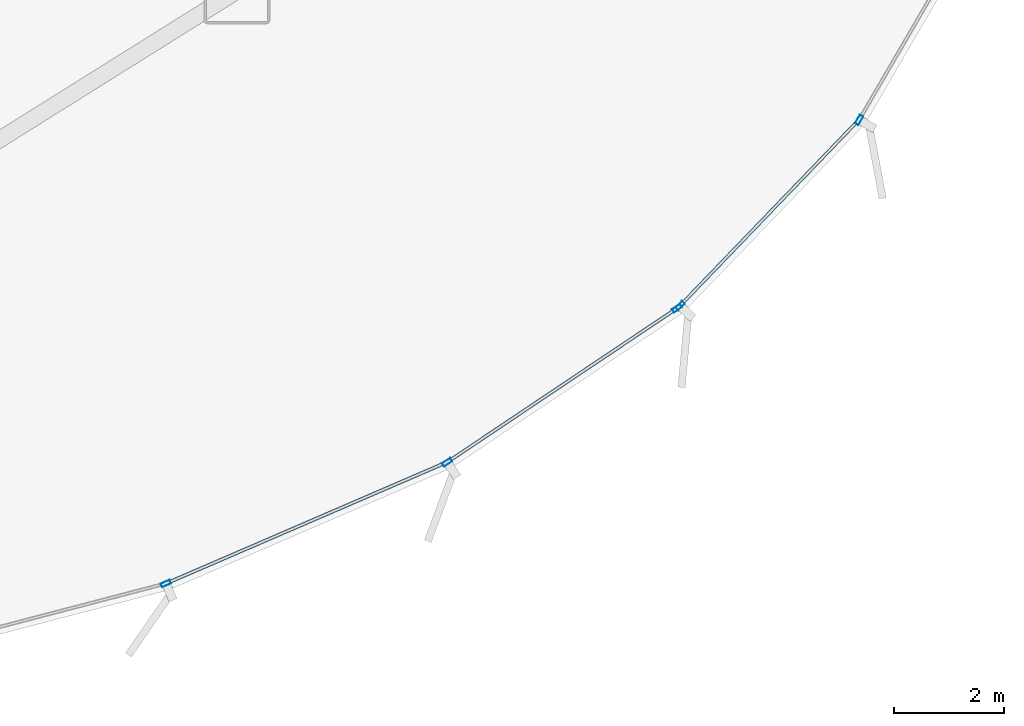
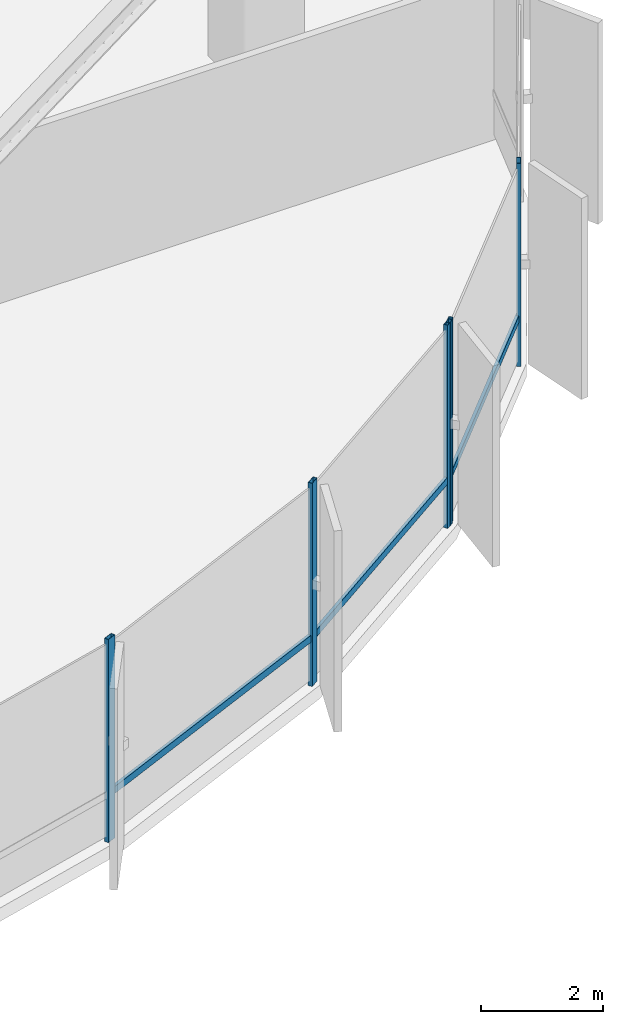
# One storey, part 16 of 34: 8 members, 2 elements without a shape of their own.
"""IFC4 building model written with IfcOpenShell, lengths in metres."""

import ifcopenshell
import ifcopenshell.guid

model = None  # the IFC model being written
_history = None  # IfcOwnerHistory: only IFC2X3 demands one
_inside = {}  # id of a spatial element -> (the spatial element, [elements in it])
_under = {}  # id of a project, library or spatial element -> (it, [spatial elements below it])
_declared = {}  # id of a project -> (the project, [libraries it declares])
_typed = {}  # id of a type object -> (the type object, [elements of that type])
_made_of = {}  # id of a material, layer set ... -> (it, [elements and type objects made of it])


def new_model(schema):
    """Start an empty IFC model of exactly this schema.

    Asked for "IFC4X3", IfcOpenShell would pick the latest addendum, in which some entities
    have other attributes; the version numbers below select the first issue.
    IFC2X3 requires an IfcOwnerHistory on every rooted entity: one is made here for all.
    """
    global model, _history
    if schema == "IFC4X3":
        model = ifcopenshell.file(schema_version=(4, 3, 0, 0))
    else:
        model = ifcopenshell.file(schema=schema)
    _inside.clear()
    _under.clear()
    _declared.clear()
    _typed.clear()
    _made_of.clear()
    _history = None
    if model.schema == "IFC2X3":
        org = make("IfcOrganization", Name="unknown")
        user = make(
            "IfcPersonAndOrganization",
            ThePerson=make("IfcPerson", FamilyName="unknown"),
            TheOrganization=org,
        )
        app = make(
            "IfcApplication",
            ApplicationDeveloper=org,
            Version="unknown",
            ApplicationFullName="unknown",
            ApplicationIdentifier="unknown",
        )
        _history = make(
            "IfcOwnerHistory",
            OwningUser=user,
            OwningApplication=app,
            ChangeAction="ADDED",
            CreationDate=0,
        )
    return model


def make(cls, **values):
    """One entity of the class cls with the attributes given. An attribute that is None is left unset."""
    return model.create_entity(
        cls, **{name: value for name, value in values.items() if value is not None}
    )


def rooted(cls, **values):
    """An entity with a GlobalId (a new one), such as an element, a storey or a relation."""
    return make(cls, GlobalId=ifcopenshell.guid.new(), OwnerHistory=_history, **values)


def si_unit(unit_type, name, prefix=None):
    """IfcSIUnit, for example si_unit("LENGTHUNIT", "METRE", prefix="MILLI")."""
    return make("IfcSIUnit", UnitType=unit_type, Prefix=prefix, Name=name)


def assignment(units):
    """IfcUnitAssignment: the units of a project."""
    return None if units is None else make("IfcUnitAssignment", Units=units)


def point(xyz):
    """IfcCartesianPoint."""
    return None if xyz is None else make("IfcCartesianPoint", Coordinates=xyz)


def direction(xyz):
    """IfcDirection."""
    return None if xyz is None else make("IfcDirection", DirectionRatios=xyz)


def frame(location, z_axis=None, x_axis=None):
    """IfcAxis2Placement3D, a coordinate frame: its origin and axes. An axis left out is left unset."""
    return make(
        "IfcAxis2Placement3D",
        Location=point(location),
        Axis=direction(z_axis),
        RefDirection=direction(x_axis),
    )


def frame_2d(location, x_axis=None):
    """IfcAxis2Placement2D, a coordinate frame in the plane: its origin and x axis."""
    return make(
        "IfcAxis2Placement2D", Location=point(location), RefDirection=direction(x_axis)
    )


def origin():
    """The frame at (0, 0, 0) with its axes left unset."""
    return frame((0.0, 0.0, 0.0))


def origin_2d():
    """The frame at (0, 0) in the plane with its x axis left unset."""
    return frame_2d((0.0, 0.0))


def place(relative_to, where):
    """IfcLocalPlacement: puts the frame where relative to a parent placement (None: the world)."""
    return make(
        "IfcLocalPlacement", PlacementRelTo=relative_to, RelativePlacement=where
    )


def context(
    kind, dimensions, precision=None, world=None, true_north=None, identifier=None
):
    """IfcGeometricRepresentationContext, for example the 3D "Model" context."""
    return make(
        "IfcGeometricRepresentationContext",
        ContextIdentifier=identifier,
        ContextType=kind,
        CoordinateSpaceDimension=dimensions,
        Precision=precision,
        WorldCoordinateSystem=world,
        TrueNorth=true_north,
    )


def subcontext(parent, identifier, kind, view, scale=None):
    """IfcGeometricRepresentationSubContext, for example "Body" below "Model"."""
    return make(
        "IfcGeometricRepresentationSubContext",
        ContextIdentifier=identifier,
        ContextType=kind,
        ParentContext=parent,
        TargetScale=scale,
        TargetView=view,
    )


def project(units=None, contexts=None):
    """IfcProject with its units and contexts."""
    return rooted(
        "IfcProject",
        Name="project",
        RepresentationContexts=contexts,
        UnitsInContext=assignment(units),
    )


def spatial(cls, under=None, at=None, **own):
    """A site, building, storey or space (cls), placed at a placement, below another one or the project."""
    s = rooted(cls, ObjectPlacement=at, **own)
    if under is not None:
        _under.setdefault(under.id(), (under, []))[1].append(s)
    return s


def profile(cls, at=None, kind="AREA", **sizes):
    """A parametric profile (cls). Its sizes go by their IFC names, for example OverallWidth=200.0."""
    return make(cls, ProfileType=kind, Position=at, **sizes)


def hollow_rectangle(**sizes):
    """IfcRectangleHollowProfileDef."""
    return profile("IfcRectangleHollowProfileDef", **sizes)


def extrude(swept, where, along, depth):
    """IfcExtrudedAreaSolid: the profile swept, set in the frame where, extruded along a direction by depth."""
    return make(
        "IfcExtrudedAreaSolid",
        SweptArea=swept,
        Position=where,
        ExtrudedDirection=direction(along),
        Depth=depth,
    )


def shape(context_of_items, identifier, shape_type, items):
    """IfcShapeRepresentation: the items that make up one representation, for example the "Body"."""
    return make(
        "IfcShapeRepresentation",
        ContextOfItems=context_of_items,
        RepresentationIdentifier=identifier,
        RepresentationType=shape_type,
        Items=items,
    )


def source(mapping_origin, context_of_items, identifier, shape_type, items):
    """IfcRepresentationMap: a shape defined once, which mapped items show again and again."""
    return make(
        "IfcRepresentationMap",
        MappingOrigin=mapping_origin,
        MappedRepresentation=shape(context_of_items, identifier, shape_type, items),
    )


def transform(
    local_origin,
    x_axis=None,
    y_axis=None,
    z_axis=None,
    scale=None,
    scale2=None,
    scale3=None,
    uniform=True,
):
    """IfcCartesianTransformationOperator3D, or its non-uniform kind. x_axis, y_axis, z_axis: its Axis1, 2, 3."""
    if uniform:
        return make(
            "IfcCartesianTransformationOperator3D",
            Axis1=direction(x_axis),
            Axis2=direction(y_axis),
            LocalOrigin=point(local_origin),
            Scale=scale,
            Axis3=direction(z_axis),
        )
    return make(
        "IfcCartesianTransformationOperator3DnonUniform",
        Axis1=direction(x_axis),
        Axis2=direction(y_axis),
        LocalOrigin=point(local_origin),
        Scale=scale,
        Axis3=direction(z_axis),
        Scale2=scale2,
        Scale3=scale3,
    )


def mapped(mapping_source, mapping_target):
    """IfcMappedItem: shows the shape of a source again, moved by a transform."""
    return make(
        "IfcMappedItem", MappingSource=mapping_source, MappingTarget=mapping_target
    )


def material(Name=None, Category=None):
    """IfcMaterial."""
    return make("IfcMaterial", Name=Name, Category=Category)


def layer(
    of_material, thickness, ventilated=None, Name=None, Category=None, Priority=None
):
    """IfcMaterialLayer: one layer of a wall or slab, of a material (None: an air gap)."""
    return make(
        "IfcMaterialLayer",
        Material=of_material,
        LayerThickness=thickness,
        IsVentilated=ventilated,
        Name=Name,
        Category=Category,
        Priority=Priority,
    )


def layer_set(layers, Name=None):
    """IfcMaterialLayerSet."""
    return make("IfcMaterialLayerSet", MaterialLayers=layers, LayerSetName=Name)


def material_profile(
    of_material, cross_section, Name=None, Category=None, Priority=None
):
    """IfcMaterialProfile: a cross section and its material."""
    return make(
        "IfcMaterialProfile",
        Name=Name,
        Material=of_material,
        Profile=cross_section,
        Priority=Priority,
        Category=Category,
    )


def profile_set(profiles, Name=None, composite=None):
    """IfcMaterialProfileSet."""
    return make(
        "IfcMaterialProfileSet",
        Name=Name,
        MaterialProfiles=profiles,
        CompositeProfile=composite,
    )


def made_of(thing, what):
    """Note that an element or type object is made of a material, layer set ...; save() writes the relation."""
    if what is not None:
        _made_of.setdefault(what.id(), (what, []))[1].append(thing)
    return thing


def type_object(cls, material=None, **own):
    """A type object (cls), such as IfcWallType, which elements share."""
    return made_of(rooted(cls, **own), material)


def element(
    cls,
    number,
    at=None,
    inside=None,
    cuts=None,
    type_object=None,
    material=None,
    context=None,
    identifier="Body",
    shape_type=None,
    held_by="IfcProductDefinitionShape",
    body=None,
    shapes=None,
    **own,
):
    """One element of the class cls, such as IfcWall. Its Tag is "e" and its number.

    at: its placement. inside: the storey or other place that contains it. cuts: it is an
    opening in that element (IfcRelVoidsElement). A single representation is given by context,
    identifier, shape_type and body (its items); several are given by shapes. held_by: the class
    of the entity that holds the representations. save() writes the other relations.
    """
    e = rooted(cls, Tag="e%d" % number, ObjectPlacement=at, **own)
    if body is not None:
        shapes = [shape(context, identifier, shape_type, body)]
    if shapes is not None:
        e.Representation = make(held_by, Representations=shapes)
    if inside is not None:
        _inside.setdefault(inside.id(), (inside, []))[1].append(e)
    if cuts is not None:
        rooted(
            "IfcRelVoidsElement", RelatingBuildingElement=cuts, RelatedOpeningElement=e
        )
    if type_object is not None:
        _typed.setdefault(type_object.id(), (type_object, []))[1].append(e)
    return made_of(e, material)


def aggregate(whole, parts):
    """IfcRelAggregates: a whole, such as a stair, and the parts it consists of."""
    return rooted("IfcRelAggregates", RelatingObject=whole, RelatedObjects=parts)


def save(model, path):
    """Write the relations noted so far, then the file.

    IfcRelAggregates (storeys below a building ...), IfcRelContainedInSpatialStructure (elements
    in a storey), IfcRelDefinesByType, IfcRelAssociatesMaterial and IfcRelDeclares: one each for
    every whole, place, type object, material and project.
    """
    for whole, parts in _under.values():
        aggregate(whole, parts)
    for where, things in _inside.values():
        rooted(
            "IfcRelContainedInSpatialStructure",
            RelatedElements=things,
            RelatingStructure=where,
        )
    for kind, things in _typed.values():
        rooted("IfcRelDefinesByType", RelatedObjects=things, RelatingType=kind)
    for what, things in _made_of.values():
        rooted("IfcRelAssociatesMaterial", RelatedObjects=things, RelatingMaterial=what)
    for by, libraries in _declared.values():
        rooted("IfcRelDeclares", RelatingContext=by, RelatedDefinitions=libraries)
    model.write(path)


model = new_model("IFC4")

# Units and contexts
model_context = context("Model", 3, precision=1e-05, world=origin(), true_north=direction((0.0, 1.0)))
body_context = subcontext(model_context, "Body", "Model", "MODEL_VIEW")
ifc_project = project(units=[si_unit("LENGTHUNIT", "METRE"), si_unit("AREAUNIT", "SQUARE_METRE"), si_unit("VOLUMEUNIT", "CUBIC_METRE"), si_unit("PLANEANGLEUNIT", "RADIAN"), si_unit("MASSUNIT", "GRAM", prefix="KILO"), si_unit("THERMODYNAMICTEMPERATUREUNIT", "KELVIN")], contexts=[model_context])

# Site, building, storey
site_placement = place(None, origin())
site = spatial("IfcSite", under=ifc_project, at=site_placement, CompositionType="ELEMENT")
building_placement = place(site_placement, origin())
building = spatial("IfcBuilding", under=site, at=building_placement, Name="Kethvar Cultural Tower", CompositionType="ELEMENT")
storey_placement = place(building_placement, frame((0.0, 0.0, 19.60009765625)))
storey = spatial("IfcBuildingStorey", under=building, at=storey_placement, Name="L04", CompositionType="ELEMENT", Elevation=19.60009765625)

# Curtain wall, member
ifc_material = material(Name="Aluminium 6063-T6", Category="aluminium")
ifc_layer = layer(ifc_material, 0.179931640625, Name="Aluminium 6063-T6", Category="aluminium")
ifc_layer_set = layer_set([ifc_layer], Name="Aluminium 6063-T6 (180 mm)")
curtain_wall_type = type_object("IfcCurtainWallType", Name="CW-SYS-01-POD", PredefinedType="NOTDEFINED", material=ifc_layer_set)
curtain_wall_1_placement = place(storey_placement, origin())
curtain_wall_1 = element("IfcCurtainWall", 1, at=curtain_wall_1_placement, inside=storey, type_object=curtain_wall_type, Name="L04 Curtain Wall Run 06", PredefinedType="NOTDEFINED")
ifc_material_profile_1 = material_profile(ifc_material, hollow_rectangle(XDim=0.06005859375, YDim=0.139892578125, WallThickness=0.0048828125, at=origin_2d()), Name="Aluminium 6063-T6 — RHS140x60x5")
ifc_profile_set_1 = profile_set([ifc_material_profile_1], Name="Aluminium 6063-T6 — RHS140x60x5")
member_type_1 = type_object("IfcMemberType", Name="CW-SYS-01-POD-TRN", PredefinedType="USERDEFINED", material=ifc_profile_set_1)
shared_shape_1 = source(origin(), body_context, "Body", "SweptSolid", [
    extrude(hollow_rectangle(XDim=0.06005859375, YDim=0.139892578125, WallThickness=0.0048828125, at=origin_2d()), origin(), (0.0, 0.0, 1.0), 4.6826171875),
])
member_1_placement = place(storey_placement, frame((75.5068359375, 8.283203125, 0.949951171875), z_axis=(0.693341040309, 0.72060960431, 0.0), x_axis=(-0.72060960431, 0.693341040309, 0.0)))
member_1 = element("IfcMember", 2, at=member_1_placement, type_object=member_type_1, Name="CW-L04-R06 Transom 1", ObjectType="TRANSOM", PredefinedType="USERDEFINED", context=body_context, shape_type="MappedRepresentation", body=[
    mapped(shared_shape_1, transform((0.0, 0.0, 0.0), scale=1.0)),
])

# Curtain wall, members
curtain_wall_2_placement = place(storey_placement, origin())
curtain_wall_2 = element("IfcCurtainWall", 3, at=curtain_wall_2_placement, inside=storey, type_object=curtain_wall_type, Name="L04 Curtain Wall Run 05", PredefinedType="NOTDEFINED")
shared_shape_2 = source(origin(), body_context, "Body", "SweptSolid", [
    extrude(hollow_rectangle(XDim=0.06005859375, YDim=0.139892578125, WallThickness=0.0048828125, at=origin_2d()), origin(), (0.0, 0.0, 1.0), 4.991455078125),
])
member_2_placement = place(storey_placement, frame((71.298828125, 5.4541015625, 0.949951171875), z_axis=(0.830806616573, 0.556561196867, 0.0), x_axis=(-0.556561196867, 0.830806616573, 0.0)))
member_2 = element("IfcMember", 4, at=member_2_placement, type_object=member_type_1, Name="CW-L04-R05 Transom 6", ObjectType="TRANSOM", PredefinedType="USERDEFINED", context=body_context, shape_type="MappedRepresentation", body=[
    mapped(shared_shape_2, transform((0.0, 0.0, 0.0), scale=1.0)),
])
shared_shape_3 = source(origin(), body_context, "Body", "SweptSolid", [
    extrude(hollow_rectangle(XDim=0.06005859375, YDim=0.139892578125, WallThickness=0.0048828125, at=origin_2d()), origin(), (0.0, 0.0, 1.0), 5.504638671875),
])
member_3_placement = place(storey_placement, frame((66.17138671875, 3.231689453125, 0.949951171875), z_axis=(0.918072625283, 0.39641222825, 0.0), x_axis=(-0.39641222825, 0.918072625283, 0.0)))
member_3 = element("IfcMember", 5, at=member_3_placement, type_object=member_type_1, Name="CW-L04-R05 Transom 5", ObjectType="TRANSOM", PredefinedType="USERDEFINED", context=body_context, shape_type="MappedRepresentation", body=[
    mapped(shared_shape_3, transform((0.0, 0.0, 0.0), scale=1.0)),
])
ifc_material_profile_2 = material_profile(ifc_material, hollow_rectangle(XDim=0.074951171875, YDim=0.179931640625, WallThickness=0.006103515625, at=origin_2d()), Name="Aluminium 6063-T6 — RHS180x75x6")
ifc_profile_set_2 = profile_set([ifc_material_profile_2], Name="Aluminium 6063-T6 — RHS180x75x6")
member_type_2 = type_object("IfcMemberType", Name="CW-SYS-01-POD-MUL", PredefinedType="MULLION", material=ifc_profile_set_2)
shared_shape_4 = source(origin(), body_context, "Body", "SweptSolid", [
    extrude(hollow_rectangle(XDim=0.074951171875, YDim=0.179931640625, WallThickness=0.006103515625, at=origin_2d()), origin(), (0.0, 0.0, 1.0), 4.079833984375),
])
member_4_placement = place(storey_placement, frame((66.121826171875, 3.210205078125, 0.0), z_axis=(0.0, 0.0, 1.0), x_axis=(-0.396410942082, 0.918073180633, 0.0)))
member_4 = element("IfcMember", 6, at=member_4_placement, type_object=member_type_2, Name="CW-L04-R05 Mullion 5", PredefinedType="MULLION", context=body_context, shape_type="MappedRepresentation", body=[
    mapped(shared_shape_4, transform((0.0, 0.0, 0.0), scale=1.0)),
])
member_5_placement = place(storey_placement, frame((71.25390625, 5.424072265625, 0.0), z_axis=(0.0, 0.0, 1.0), x_axis=(-0.556556649514, 0.830809662848, 0.0)))
member_5 = element("IfcMember", 7, at=member_5_placement, type_object=member_type_2, Name="CW-L04-R05 Mullion 6", PredefinedType="MULLION", context=body_context, shape_type="MappedRepresentation", body=[
    mapped(shared_shape_4, transform((0.0, 0.0, 0.0), scale=1.0)),
])
member_6_placement = place(storey_placement, frame((75.4501953125, 8.235107421875, 0.0), z_axis=(0.0, 0.0, 1.0), x_axis=(-0.556556649514, 0.830809662848, 0.0)))
member_6 = element("IfcMember", 8, at=member_6_placement, type_object=member_type_2, Name="CW-L04-R05 Mullion 7", PredefinedType="MULLION", context=body_context, shape_type="MappedRepresentation", body=[
    mapped(shared_shape_4, transform((0.0, 0.0, 0.0), scale=1.0)),
])
aggregate(curtain_wall_2, [member_4, member_5, member_6, member_3, member_2])

# Member
member_7_placement = place(storey_placement, frame((75.503173828125, 8.279541015625, 0.0), z_axis=(0.0, 0.0, 1.0), x_axis=(-0.720611619661, 0.693338945689, 0.0)))
member_7 = element("IfcMember", 9, at=member_7_placement, type_object=member_type_2, Name="CW-L04-R06 Mullion 1", PredefinedType="MULLION", context=body_context, shape_type="MappedRepresentation", body=[
    mapped(shared_shape_4, transform((0.0, 0.0, 0.0), scale=1.0)),
])

member_8_placement = place(storey_placement, frame((78.772216796875, 11.671630859375, 0.0), z_axis=(0.0, 0.0, 1.0), x_axis=(-0.863984939927, 0.503517649721, 0.0)))
member_8 = element("IfcMember", 10, at=member_8_placement, type_object=member_type_2, Name="CW-L04-R06 Mullion 2", PredefinedType="MULLION", context=body_context, shape_type="MappedRepresentation", body=[
    mapped(shared_shape_4, transform((0.0, 0.0, 0.0), scale=1.0)),
])

aggregate(curtain_wall_1, [member_7, member_8, member_1])

save(model, "model.ifc")
